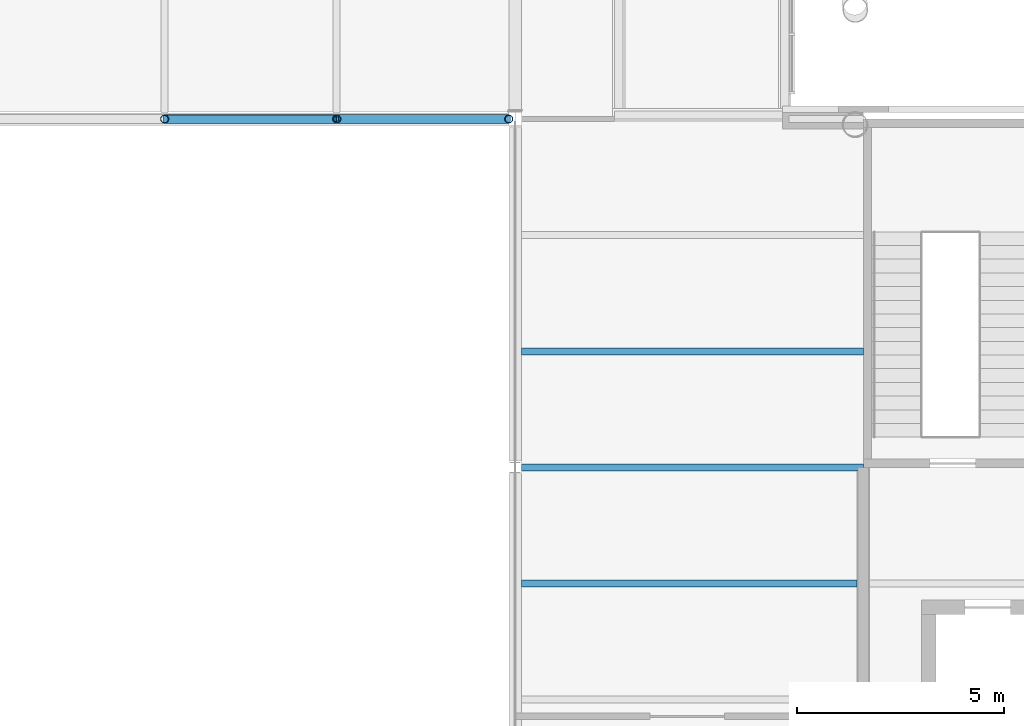
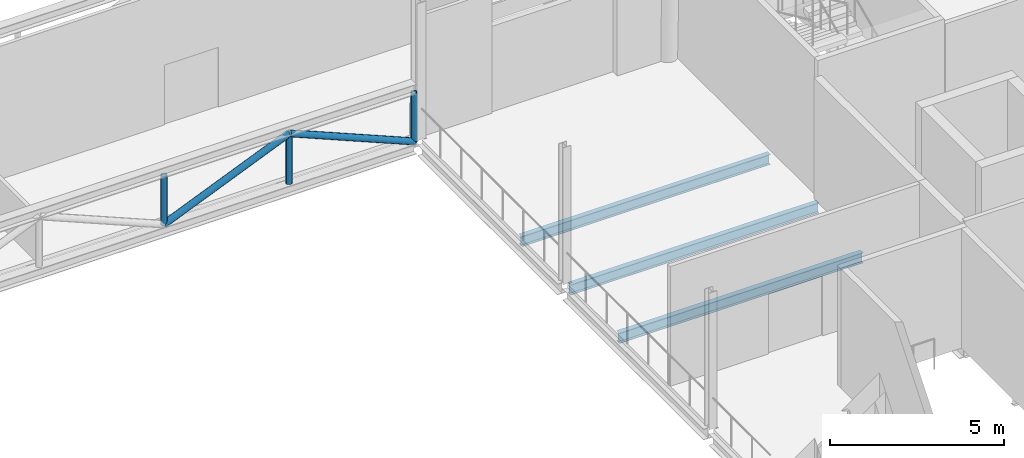
# One storey, part 23 of 76: 5 members, 3 beams.
"""IFC4 building model written with IfcOpenShell, lengths in metres."""

import ifcopenshell
import ifcopenshell.guid

model = None  # the IFC model being written
_history = None  # IfcOwnerHistory: only IFC2X3 demands one
_inside = {}  # id of a spatial element -> (the spatial element, [elements in it])
_under = {}  # id of a project, library or spatial element -> (it, [spatial elements below it])
_declared = {}  # id of a project -> (the project, [libraries it declares])
_typed = {}  # id of a type object -> (the type object, [elements of that type])
_made_of = {}  # id of a material, layer set ... -> (it, [elements and type objects made of it])


def new_model(schema):
    """Start an empty IFC model of exactly this schema.

    Asked for "IFC4X3", IfcOpenShell would pick the latest addendum, in which some entities
    have other attributes; the version numbers below select the first issue.
    IFC2X3 requires an IfcOwnerHistory on every rooted entity: one is made here for all.
    """
    global model, _history
    if schema == "IFC4X3":
        model = ifcopenshell.file(schema_version=(4, 3, 0, 0))
    else:
        model = ifcopenshell.file(schema=schema)
    _inside.clear()
    _under.clear()
    _declared.clear()
    _typed.clear()
    _made_of.clear()
    _history = None
    if model.schema == "IFC2X3":
        org = make("IfcOrganization", Name="unknown")
        user = make(
            "IfcPersonAndOrganization",
            ThePerson=make("IfcPerson", FamilyName="unknown"),
            TheOrganization=org,
        )
        app = make(
            "IfcApplication",
            ApplicationDeveloper=org,
            Version="unknown",
            ApplicationFullName="unknown",
            ApplicationIdentifier="unknown",
        )
        _history = make(
            "IfcOwnerHistory",
            OwningUser=user,
            OwningApplication=app,
            ChangeAction="ADDED",
            CreationDate=0,
        )
    return model


def make(cls, **values):
    """One entity of the class cls with the attributes given. An attribute that is None is left unset."""
    return model.create_entity(
        cls, **{name: value for name, value in values.items() if value is not None}
    )


def rooted(cls, **values):
    """An entity with a GlobalId (a new one), such as an element, a storey or a relation."""
    return make(cls, GlobalId=ifcopenshell.guid.new(), OwnerHistory=_history, **values)


def si_unit(unit_type, name, prefix=None):
    """IfcSIUnit, for example si_unit("LENGTHUNIT", "METRE", prefix="MILLI")."""
    return make("IfcSIUnit", UnitType=unit_type, Prefix=prefix, Name=name)


def assignment(units):
    """IfcUnitAssignment: the units of a project."""
    return None if units is None else make("IfcUnitAssignment", Units=units)


def point(xyz):
    """IfcCartesianPoint."""
    return None if xyz is None else make("IfcCartesianPoint", Coordinates=xyz)


def direction(xyz):
    """IfcDirection."""
    return None if xyz is None else make("IfcDirection", DirectionRatios=xyz)


def frame(location, z_axis=None, x_axis=None):
    """IfcAxis2Placement3D, a coordinate frame: its origin and axes. An axis left out is left unset."""
    return make(
        "IfcAxis2Placement3D",
        Location=point(location),
        Axis=direction(z_axis),
        RefDirection=direction(x_axis),
    )


def frame_2d(location, x_axis=None):
    """IfcAxis2Placement2D, a coordinate frame in the plane: its origin and x axis."""
    return make(
        "IfcAxis2Placement2D", Location=point(location), RefDirection=direction(x_axis)
    )


def origin():
    """The frame at (0, 0, 0) with its axes left unset."""
    return frame((0.0, 0.0, 0.0))


def origin_2d():
    """The frame at (0, 0) in the plane with its x axis left unset."""
    return frame_2d((0.0, 0.0))


def place(relative_to, where):
    """IfcLocalPlacement: puts the frame where relative to a parent placement (None: the world)."""
    return make(
        "IfcLocalPlacement", PlacementRelTo=relative_to, RelativePlacement=where
    )


def context(
    kind, dimensions, precision=None, world=None, true_north=None, identifier=None
):
    """IfcGeometricRepresentationContext, for example the 3D "Model" context."""
    return make(
        "IfcGeometricRepresentationContext",
        ContextIdentifier=identifier,
        ContextType=kind,
        CoordinateSpaceDimension=dimensions,
        Precision=precision,
        WorldCoordinateSystem=world,
        TrueNorth=true_north,
    )


def subcontext(parent, identifier, kind, view, scale=None):
    """IfcGeometricRepresentationSubContext, for example "Body" below "Model"."""
    return make(
        "IfcGeometricRepresentationSubContext",
        ContextIdentifier=identifier,
        ContextType=kind,
        ParentContext=parent,
        TargetScale=scale,
        TargetView=view,
    )


def project(units=None, contexts=None):
    """IfcProject with its units and contexts."""
    return rooted(
        "IfcProject",
        Name="project",
        RepresentationContexts=contexts,
        UnitsInContext=assignment(units),
    )


def spatial(cls, under=None, at=None, **own):
    """A site, building, storey or space (cls), placed at a placement, below another one or the project."""
    s = rooted(cls, ObjectPlacement=at, **own)
    if under is not None:
        _under.setdefault(under.id(), (under, []))[1].append(s)
    return s


def profile(cls, at=None, kind="AREA", **sizes):
    """A parametric profile (cls). Its sizes go by their IFC names, for example OverallWidth=200.0."""
    return make(cls, ProfileType=kind, Position=at, **sizes)


def hollow_circle(**sizes):
    """IfcCircleHollowProfileDef."""
    return profile("IfcCircleHollowProfileDef", **sizes)


def i_section(**sizes):
    """IfcIShapeProfileDef."""
    return profile("IfcIShapeProfileDef", **sizes)


def extrude(swept, where, along, depth):
    """IfcExtrudedAreaSolid: the profile swept, set in the frame where, extruded along a direction by depth."""
    return make(
        "IfcExtrudedAreaSolid",
        SweptArea=swept,
        Position=where,
        ExtrudedDirection=direction(along),
        Depth=depth,
    )


def shape(context_of_items, identifier, shape_type, items):
    """IfcShapeRepresentation: the items that make up one representation, for example the "Body"."""
    return make(
        "IfcShapeRepresentation",
        ContextOfItems=context_of_items,
        RepresentationIdentifier=identifier,
        RepresentationType=shape_type,
        Items=items,
    )


def material(Name=None, Category=None):
    """IfcMaterial."""
    return make("IfcMaterial", Name=Name, Category=Category)


def material_profile(
    of_material, cross_section, Name=None, Category=None, Priority=None
):
    """IfcMaterialProfile: a cross section and its material."""
    return make(
        "IfcMaterialProfile",
        Name=Name,
        Material=of_material,
        Profile=cross_section,
        Priority=Priority,
        Category=Category,
    )


def profile_set(profiles, Name=None, composite=None):
    """IfcMaterialProfileSet."""
    return make(
        "IfcMaterialProfileSet",
        Name=Name,
        MaterialProfiles=profiles,
        CompositeProfile=composite,
    )


def made_of(thing, what):
    """Note that an element or type object is made of a material, layer set ...; save() writes the relation."""
    if what is not None:
        _made_of.setdefault(what.id(), (what, []))[1].append(thing)
    return thing


def type_object(cls, material=None, **own):
    """A type object (cls), such as IfcWallType, which elements share."""
    return made_of(rooted(cls, **own), material)


def element(
    cls,
    number,
    at=None,
    inside=None,
    cuts=None,
    type_object=None,
    material=None,
    context=None,
    identifier="Body",
    shape_type=None,
    held_by="IfcProductDefinitionShape",
    body=None,
    shapes=None,
    **own,
):
    """One element of the class cls, such as IfcWall. Its Tag is "e" and its number.

    at: its placement. inside: the storey or other place that contains it. cuts: it is an
    opening in that element (IfcRelVoidsElement). A single representation is given by context,
    identifier, shape_type and body (its items); several are given by shapes. held_by: the class
    of the entity that holds the representations. save() writes the other relations.
    """
    e = rooted(cls, Tag="e%d" % number, ObjectPlacement=at, **own)
    if body is not None:
        shapes = [shape(context, identifier, shape_type, body)]
    if shapes is not None:
        e.Representation = make(held_by, Representations=shapes)
    if inside is not None:
        _inside.setdefault(inside.id(), (inside, []))[1].append(e)
    if cuts is not None:
        rooted(
            "IfcRelVoidsElement", RelatingBuildingElement=cuts, RelatedOpeningElement=e
        )
    if type_object is not None:
        _typed.setdefault(type_object.id(), (type_object, []))[1].append(e)
    return made_of(e, material)


def aggregate(whole, parts):
    """IfcRelAggregates: a whole, such as a stair, and the parts it consists of."""
    return rooted("IfcRelAggregates", RelatingObject=whole, RelatedObjects=parts)


def save(model, path):
    """Write the relations noted so far, then the file.

    IfcRelAggregates (storeys below a building ...), IfcRelContainedInSpatialStructure (elements
    in a storey), IfcRelDefinesByType, IfcRelAssociatesMaterial and IfcRelDeclares: one each for
    every whole, place, type object, material and project.
    """
    for whole, parts in _under.values():
        aggregate(whole, parts)
    for where, things in _inside.values():
        rooted(
            "IfcRelContainedInSpatialStructure",
            RelatedElements=things,
            RelatingStructure=where,
        )
    for kind, things in _typed.values():
        rooted("IfcRelDefinesByType", RelatedObjects=things, RelatingType=kind)
    for what, things in _made_of.values():
        rooted("IfcRelAssociatesMaterial", RelatedObjects=things, RelatingMaterial=what)
    for by, libraries in _declared.values():
        rooted("IfcRelDeclares", RelatingContext=by, RelatedDefinitions=libraries)
    model.write(path)


model = new_model("IFC4")

# Units and contexts
model_context = context("Model", 3, precision=1e-05, world=origin(), true_north=direction((0.0, 1.0)))
body_context = subcontext(model_context, "Body", "Model", "MODEL_VIEW")
ifc_project = project(units=[si_unit("LENGTHUNIT", "METRE"), si_unit("AREAUNIT", "SQUARE_METRE"), si_unit("VOLUMEUNIT", "CUBIC_METRE"), si_unit("PLANEANGLEUNIT", "RADIAN"), si_unit("MASSUNIT", "GRAM", prefix="KILO")], contexts=[model_context])

# Site, building, storey
site_placement = place(None, origin())
site = spatial("IfcSite", under=ifc_project, at=site_placement, CompositionType="ELEMENT")
building_placement = place(site_placement, origin())
building = spatial("IfcBuilding", under=site, at=building_placement, Name="Sava Quay Ferry Terminal", CompositionType="ELEMENT")
storey_placement = place(building_placement, frame((0.0, 0.0, 6.0)))
storey = spatial("IfcBuildingStorey", under=building, at=storey_placement, Name="L01", CompositionType="ELEMENT", Elevation=6.0)

# Beams
ifc_material_1 = material(Name="Steel S355", Category="steel")
ifc_material_profile_1 = material_profile(ifc_material_1, i_section(OverallWidth=0.169921875, OverallDepth=0.360107421875, WebThickness=0.008056640625, FlangeThickness=0.0126953125, at=origin_2d()), Name="IPE 360")
ifc_profile_set_1 = profile_set([ifc_material_profile_1], Name="Steel S355")
beam_type = type_object("IfcBeamType", Name="Beam IPE 360", PredefinedType="BEAM", material=ifc_profile_set_1)
beam_1_placement = place(storey_placement, frame((75.75, 42.0, -0.31005859375), z_axis=(1.0, 0.0, 0.0), x_axis=(0.0, 1.0, 0.0)))
element("IfcBeam", 1, at=beam_1_placement, inside=storey, type_object=beam_type, Name="Beam L01", PredefinedType="BEAM", context=body_context, shape_type="SweptSolid", body=[
    extrude(i_section(OverallWidth=0.169921875, OverallDepth=0.360107421875, WebThickness=0.008056640625, FlangeThickness=0.0126953125, at=origin_2d()), origin(), (0.0, 0.0, 1.0), 8.25),
])
beam_2_placement = place(storey_placement, frame((75.75, 39.199951171875, -0.31005859375), z_axis=(1.0, 0.0, 0.0), x_axis=(0.0, 1.0, 0.0)))
element("IfcBeam", 2, at=beam_2_placement, inside=storey, type_object=beam_type, Name="Secondary beam L01", PredefinedType="BEAM", context=body_context, shape_type="SweptSolid", body=[
    extrude(i_section(OverallWidth=0.169921875, OverallDepth=0.360107421875, WebThickness=0.008056640625, FlangeThickness=0.0126953125, at=origin_2d()), origin(), (0.0, 0.0, 1.0), 8.10009765625),
])
beam_3_placement = place(storey_placement, frame((75.75, 44.800048828125, -0.31005859375), z_axis=(1.0, 0.0, 0.0), x_axis=(0.0, 1.0, 0.0)))
element("IfcBeam", 3, at=beam_3_placement, inside=storey, type_object=beam_type, Name="Secondary beam L01", PredefinedType="BEAM", context=body_context, shape_type="SweptSolid", body=[
    extrude(i_section(OverallWidth=0.169921875, OverallDepth=0.360107421875, WebThickness=0.008056640625, FlangeThickness=0.0126953125, at=origin_2d()), origin(), (0.0, 0.0, 1.0), 8.25),
])

# Members
ifc_material_2 = material(Name="Steel S355", Category="steel")
ifc_material_profile_2 = material_profile(ifc_material_2, hollow_circle(Radius=0.096923828125, WallThickness=0.008056640625, at=origin_2d()), Name="CHS 193.7 x 8")
ifc_profile_set_2 = profile_set([ifc_material_profile_2], Name="Steel S355")
member_type_1 = type_object("IfcMemberType", Name="Brace CHS 193.7 x 8", PredefinedType="BRACE", material=ifc_profile_set_2)
for number, where, z_axis, x_axis, name in (
    (4, (67.14990234375, 50.39990234375, -0.1298828125), (0.0, 0.0, 1.0), (1.0, 0.0, 0.0), "Truss post 50.4"),
    (5, (71.300048828125, 50.39990234375, -0.1298828125), (0.0, 0.0, 1.0), (1.0, 0.0, 0.0), "Truss post 50.4"),
    (6, (75.449951171875, 50.39990234375, -0.1298828125), (0.0, 0.0, 1.0), (1.0, 0.0, 0.0), "Truss post 50.4"),
):
    element("IfcMember", number, at=place(storey_placement, frame(where, z_axis=z_axis, x_axis=x_axis)), inside=storey, type_object=member_type_1, Name=name, PredefinedType="BRACE", context=body_context, shape_type="SweptSolid", body=[
        extrude(hollow_circle(Radius=0.096923828125, WallThickness=0.008056640625, at=origin_2d()), origin(), (0.0, 0.0, 1.0), 1.739990234375),
    ])
ifc_material_3 = material(Name="Steel S355", Category="steel")
ifc_material_profile_3 = material_profile(ifc_material_3, hollow_circle(Radius=0.109619140625, WallThickness=0.010009765625, at=origin_2d()), Name="CHS 219.1 x 10")
ifc_profile_set_3 = profile_set([ifc_material_profile_3], Name="Steel S355")
member_type_2 = type_object("IfcMemberType", Name="Brace CHS 219.1 x 10", PredefinedType="BRACE", material=ifc_profile_set_3)
member_1_placement = place(storey_placement, frame((67.14990234375, 50.39990234375, -0.1298828125), z_axis=(0.922225585588, 0.0, 0.386652258867), x_axis=(0.0, 1.0, 0.0)))
element("IfcMember", 7, at=member_1_placement, inside=storey, type_object=member_type_2, Name="Truss diagonal 50.4", PredefinedType="BRACE", context=body_context, shape_type="SweptSolid", body=[
    extrude(hollow_circle(Radius=0.109619140625, WallThickness=0.010009765625, at=origin_2d()), origin(), (0.0, 0.0, 1.0), 4.500244140625),
])
member_2_placement = place(storey_placement, frame((75.449951171875, 50.39990234375, -0.1298828125), z_axis=(-0.922217474343, 0.0, 0.386671604874), x_axis=(0.0, -1.0, 0.0)))
element("IfcMember", 8, at=member_2_placement, inside=storey, type_object=member_type_2, Name="Truss diagonal 50.4", PredefinedType="BRACE", context=body_context, shape_type="SweptSolid", body=[
    extrude(hollow_circle(Radius=0.109619140625, WallThickness=0.010009765625, at=origin_2d()), origin(), (0.0, 0.0, 1.0), 4.5),
])

save(model, "model.ifc")
